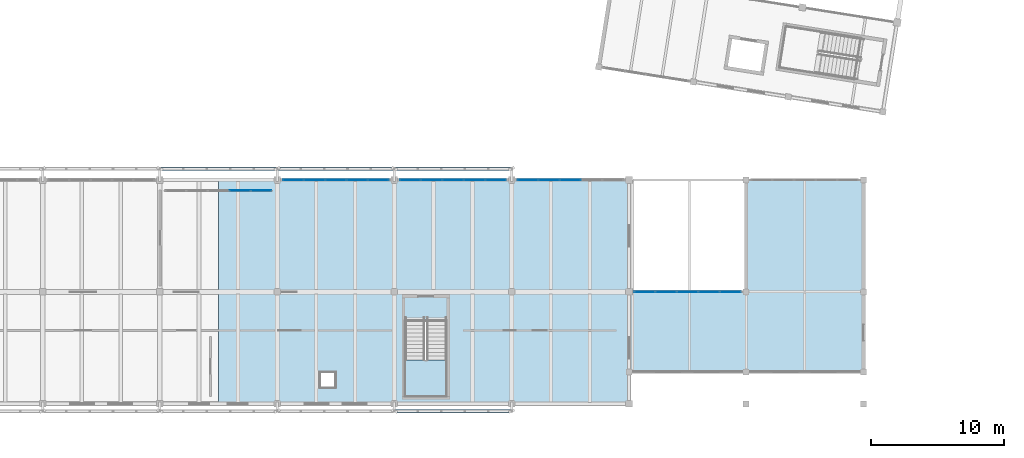
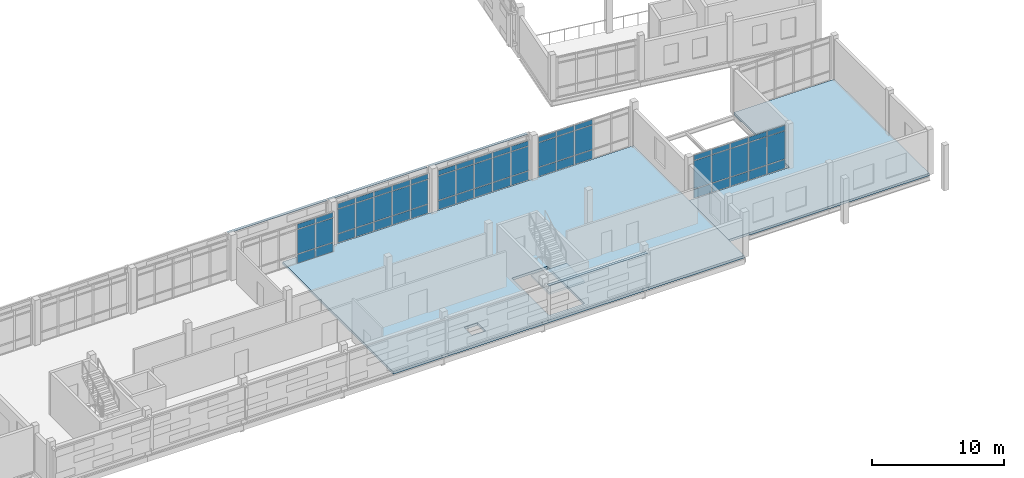
# One storey, part 96 of 137: 64 plates, 3 slabs, 6 elements without a shape of their own.
"""IFC4 building model written with IfcOpenShell, lengths in metres."""

from ifc_helpers import new_model, si_unit, direction, frame, origin, origin_2d, place, context, subcontext, project, spatial, polyline, rectangle, outline, extrude, material, layer, layer_set, type_object, element, aggregate, save


model = new_model("IFC4")

# Units and contexts
model_context = context("Model", 3, precision=1e-05, world=origin(), true_north=direction((0.0, 1.0)))
body_context = subcontext(model_context, "Body", "Model", "MODEL_VIEW")
ifc_project = project(units=[si_unit("LENGTHUNIT", "METRE"), si_unit("AREAUNIT", "SQUARE_METRE"), si_unit("VOLUMEUNIT", "CUBIC_METRE"), si_unit("PLANEANGLEUNIT", "RADIAN"), si_unit("MASSUNIT", "GRAM", prefix="KILO")], contexts=[model_context])

# Site, building, storey
site_placement = place(None, origin())
site = spatial("IfcSite", under=ifc_project, at=site_placement, CompositionType="ELEMENT")
building_placement = place(site_placement, origin())
building = spatial("IfcBuilding", under=site, at=building_placement, Name="Cinderway Yard Community Centre", CompositionType="ELEMENT")
storey_placement = place(building_placement, frame((0.0, 0.0, 4.800048828125)))
storey = spatial("IfcBuildingStorey", under=building, at=storey_placement, Name="L01", CompositionType="ELEMENT", Elevation=4.800048828125)

# Curtain wall, plates
ifc_material_1 = material(Name="Aluminium 6063-T6", Category="aluminium")
curtain_wall_type_1 = type_object("IfcCurtainWallType", Name="ENV-CW-TYPE-27", PredefinedType="USERDEFINED", material=ifc_material_1)
curtain_wall_1_placement = place(storey_placement, origin())
curtain_wall_1 = element("IfcCurtainWall", 1, at=curtain_wall_1_placement, inside=storey, type_object=curtain_wall_type_1, Name="Dining Courtyard Curtain Wall ENV-CW-L01-ST-0096", ObjectType="GLAZED CURTAIN WALL", PredefinedType="USERDEFINED")
ifc_material_2 = material(Name="Laminated Low-E Glass", Category="glass")
ifc_layer_1 = layer(ifc_material_2, 0.028076171875, Name="Laminated Low-E Glass")
ifc_layer_set_1 = layer_set([ifc_layer_1], Name="Laminated Low-E Glass")
plate_type_1 = type_object("IfcPlateType", Name="ENV-CW-PAN-IGU28", PredefinedType="CURTAIN_PANEL", material=ifc_layer_set_1)
plate_1_placement = place(storey_placement, frame((90.008056640625, 22.0, 0.059814453125), z_axis=(0.0, 0.0, 1.0), x_axis=(1.0, 0.0, 0.0)))
plate_1 = element("IfcPlate", 2, at=plate_1_placement, type_object=plate_type_1, Name="CW-27 panel 4.1", PredefinedType="CURTAIN_PANEL", context=body_context, shape_type="SweptSolid", body=[
    extrude(rectangle(XDim=1.548095703125, YDim=0.028076171875, at=origin_2d()), origin(), (0.0, 0.0, 1.0), 0.81005859375),
])
plate_2_placement = place(storey_placement, frame((90.008056640625, 22.0, 0.93017578125), z_axis=(0.0, 0.0, 1.0), x_axis=(1.0, 0.0, 0.0)))
plate_2 = element("IfcPlate", 3, at=plate_2_placement, type_object=plate_type_1, Name="CW-27 panel 4.2", PredefinedType="CURTAIN_PANEL", context=body_context, shape_type="SweptSolid", body=[
    extrude(rectangle(XDim=1.548095703125, YDim=0.028076171875, at=origin_2d()), origin(), (0.0, 0.0, 1.0), 2.239990234375),
])
plate_3_placement = place(storey_placement, frame((90.008056640625, 22.0, 3.22998046875), z_axis=(0.0, 0.0, 1.0), x_axis=(1.0, 0.0, 0.0)))
plate_3 = element("IfcPlate", 4, at=plate_3_placement, type_object=plate_type_1, Name="CW-27 panel 4.3", PredefinedType="CURTAIN_PANEL", context=body_context, shape_type="SweptSolid", body=[
    extrude(rectangle(XDim=1.548095703125, YDim=0.028076171875, at=origin_2d()), origin(), (0.0, 0.0, 1.0), 0.4599609375),
])
plate_4_placement = place(storey_placement, frame((91.60107421875, 22.0, 0.059814453125), z_axis=(0.0, 0.0, 1.0), x_axis=(1.0, 0.0, 0.0)))
plate_4 = element("IfcPlate", 5, at=plate_4_placement, type_object=plate_type_1, Name="CW-27 panel 5.1", PredefinedType="CURTAIN_PANEL", context=body_context, shape_type="SweptSolid", body=[
    extrude(rectangle(XDim=1.51806640625, YDim=0.028076171875, at=origin_2d()), origin(), (0.0, 0.0, 1.0), 0.81005859375),
])
plate_5_placement = place(storey_placement, frame((91.60107421875, 22.0, 0.93017578125), z_axis=(0.0, 0.0, 1.0), x_axis=(1.0, 0.0, 0.0)))
plate_5 = element("IfcPlate", 6, at=plate_5_placement, type_object=plate_type_1, Name="CW-27 panel 5.2", PredefinedType="CURTAIN_PANEL", context=body_context, shape_type="SweptSolid", body=[
    extrude(rectangle(XDim=1.51806640625, YDim=0.028076171875, at=origin_2d()), origin(), (0.0, 0.0, 1.0), 2.239990234375),
])
plate_6_placement = place(storey_placement, frame((91.60107421875, 22.0, 3.22998046875), z_axis=(0.0, 0.0, 1.0), x_axis=(1.0, 0.0, 0.0)))
plate_6 = element("IfcPlate", 7, at=plate_6_placement, type_object=plate_type_1, Name="CW-27 panel 5.3", PredefinedType="CURTAIN_PANEL", context=body_context, shape_type="SweptSolid", body=[
    extrude(rectangle(XDim=1.51806640625, YDim=0.028076171875, at=origin_2d()), origin(), (0.0, 0.0, 1.0), 0.4599609375),
])
aggregate(curtain_wall_1, [plate_1, plate_2, plate_3, plate_4, plate_5, plate_6])

curtain_wall_2_placement = place(storey_placement, origin())
curtain_wall_2 = element("IfcCurtainWall", 8, at=curtain_wall_2_placement, inside=storey, type_object=curtain_wall_type_1, Name="Dining Courtyard Curtain Wall ENV-CW-L01-ST-0097", ObjectType="GLAZED CURTAIN WALL", PredefinedType="USERDEFINED")
plate_7_placement = place(storey_placement, frame((93.9990234375, 22.800048828125, 0.059814453125), z_axis=(0.0, 0.0, 1.0), x_axis=(1.0, 0.0, 0.0)))
plate_7 = element("IfcPlate", 9, at=plate_7_placement, type_object=plate_type_1, Name="CW-27 panel 1.1", PredefinedType="CURTAIN_PANEL", context=body_context, shape_type="SweptSolid", body=[
    extrude(rectangle(XDim=1.51806640625, YDim=0.028076171875, at=origin_2d()), origin(), (0.0, 0.0, 1.0), 0.81005859375),
])
plate_8_placement = place(storey_placement, frame((93.9990234375, 22.800048828125, 0.93017578125), z_axis=(0.0, 0.0, 1.0), x_axis=(1.0, 0.0, 0.0)))
plate_8 = element("IfcPlate", 10, at=plate_8_placement, type_object=plate_type_1, Name="CW-27 panel 1.2", PredefinedType="CURTAIN_PANEL", context=body_context, shape_type="SweptSolid", body=[
    extrude(rectangle(XDim=1.51806640625, YDim=0.028076171875, at=origin_2d()), origin(), (0.0, 0.0, 1.0), 2.239990234375),
])
plate_9_placement = place(storey_placement, frame((93.9990234375, 22.800048828125, 3.22998046875), z_axis=(0.0, 0.0, 1.0), x_axis=(1.0, 0.0, 0.0)))
plate_9 = element("IfcPlate", 11, at=plate_9_placement, type_object=plate_type_1, Name="CW-27 panel 1.3", PredefinedType="CURTAIN_PANEL", context=body_context, shape_type="SweptSolid", body=[
    extrude(rectangle(XDim=1.51806640625, YDim=0.028076171875, at=origin_2d()), origin(), (0.0, 0.0, 1.0), 0.4599609375),
])
plate_10_placement = place(storey_placement, frame((95.592041015625, 22.800048828125, 0.059814453125), z_axis=(0.0, 0.0, 1.0), x_axis=(1.0, 0.0, 0.0)))
plate_10 = element("IfcPlate", 12, at=plate_10_placement, type_object=plate_type_1, Name="CW-27 panel 2.1", PredefinedType="CURTAIN_PANEL", context=body_context, shape_type="SweptSolid", body=[
    extrude(rectangle(XDim=1.548095703125, YDim=0.028076171875, at=origin_2d()), origin(), (0.0, 0.0, 1.0), 0.81005859375),
])
plate_11_placement = place(storey_placement, frame((95.592041015625, 22.800048828125, 0.93017578125), z_axis=(0.0, 0.0, 1.0), x_axis=(1.0, 0.0, 0.0)))
plate_11 = element("IfcPlate", 13, at=plate_11_placement, type_object=plate_type_1, Name="CW-27 panel 2.2", PredefinedType="CURTAIN_PANEL", context=body_context, shape_type="SweptSolid", body=[
    extrude(rectangle(XDim=1.548095703125, YDim=0.028076171875, at=origin_2d()), origin(), (0.0, 0.0, 1.0), 2.239990234375),
])
plate_12_placement = place(storey_placement, frame((95.592041015625, 22.800048828125, 3.22998046875), z_axis=(0.0, 0.0, 1.0), x_axis=(1.0, 0.0, 0.0)))
plate_12 = element("IfcPlate", 14, at=plate_12_placement, type_object=plate_type_1, Name="CW-27 panel 2.3", PredefinedType="CURTAIN_PANEL", context=body_context, shape_type="SweptSolid", body=[
    extrude(rectangle(XDim=1.548095703125, YDim=0.028076171875, at=origin_2d()), origin(), (0.0, 0.0, 1.0), 0.4599609375),
])
plate_13_placement = place(storey_placement, frame((97.199951171875, 22.800048828125, 0.059814453125), z_axis=(0.0, 0.0, 1.0), x_axis=(1.0, 0.0, 0.0)))
plate_13 = element("IfcPlate", 15, at=plate_13_placement, type_object=plate_type_1, Name="CW-27 panel 3.1", PredefinedType="CURTAIN_PANEL", context=body_context, shape_type="SweptSolid", body=[
    extrude(rectangle(XDim=1.548095703125, YDim=0.028076171875, at=origin_2d()), origin(), (0.0, 0.0, 1.0), 0.81005859375),
])
plate_14_placement = place(storey_placement, frame((97.199951171875, 22.800048828125, 0.93017578125), z_axis=(0.0, 0.0, 1.0), x_axis=(1.0, 0.0, 0.0)))
plate_14 = element("IfcPlate", 16, at=plate_14_placement, type_object=plate_type_1, Name="CW-27 panel 3.2", PredefinedType="CURTAIN_PANEL", context=body_context, shape_type="SweptSolid", body=[
    extrude(rectangle(XDim=1.548095703125, YDim=0.028076171875, at=origin_2d()), origin(), (0.0, 0.0, 1.0), 2.239990234375),
])
plate_15_placement = place(storey_placement, frame((97.199951171875, 22.800048828125, 3.22998046875), z_axis=(0.0, 0.0, 1.0), x_axis=(1.0, 0.0, 0.0)))
plate_15 = element("IfcPlate", 17, at=plate_15_placement, type_object=plate_type_1, Name="CW-27 panel 3.3", PredefinedType="CURTAIN_PANEL", context=body_context, shape_type="SweptSolid", body=[
    extrude(rectangle(XDim=1.548095703125, YDim=0.028076171875, at=origin_2d()), origin(), (0.0, 0.0, 1.0), 0.4599609375),
])
plate_16_placement = place(storey_placement, frame((98.80810546875, 22.800048828125, 0.059814453125), z_axis=(0.0, 0.0, 1.0), x_axis=(1.0, 0.0, 0.0)))
plate_16 = element("IfcPlate", 18, at=plate_16_placement, type_object=plate_type_1, Name="CW-27 panel 4.1", PredefinedType="CURTAIN_PANEL", context=body_context, shape_type="SweptSolid", body=[
    extrude(rectangle(XDim=1.548095703125, YDim=0.028076171875, at=origin_2d()), origin(), (0.0, 0.0, 1.0), 0.81005859375),
])
plate_17_placement = place(storey_placement, frame((98.80810546875, 22.800048828125, 0.93017578125), z_axis=(0.0, 0.0, 1.0), x_axis=(1.0, 0.0, 0.0)))
plate_17 = element("IfcPlate", 19, at=plate_17_placement, type_object=plate_type_1, Name="CW-27 panel 4.2", PredefinedType="CURTAIN_PANEL", context=body_context, shape_type="SweptSolid", body=[
    extrude(rectangle(XDim=1.548095703125, YDim=0.028076171875, at=origin_2d()), origin(), (0.0, 0.0, 1.0), 2.239990234375),
])
plate_18_placement = place(storey_placement, frame((98.80810546875, 22.800048828125, 3.22998046875), z_axis=(0.0, 0.0, 1.0), x_axis=(1.0, 0.0, 0.0)))
plate_18 = element("IfcPlate", 20, at=plate_18_placement, type_object=plate_type_1, Name="CW-27 panel 4.3", PredefinedType="CURTAIN_PANEL", context=body_context, shape_type="SweptSolid", body=[
    extrude(rectangle(XDim=1.548095703125, YDim=0.028076171875, at=origin_2d()), origin(), (0.0, 0.0, 1.0), 0.4599609375),
])
plate_19_placement = place(storey_placement, frame((100.40087890625, 22.800048828125, 0.059814453125), z_axis=(0.0, 0.0, 1.0), x_axis=(1.0, 0.0, 0.0)))
plate_19 = element("IfcPlate", 21, at=plate_19_placement, type_object=plate_type_1, Name="CW-27 panel 5.1", PredefinedType="CURTAIN_PANEL", context=body_context, shape_type="SweptSolid", body=[
    extrude(rectangle(XDim=1.51806640625, YDim=0.028076171875, at=origin_2d()), origin(), (0.0, 0.0, 1.0), 0.81005859375),
])
plate_20_placement = place(storey_placement, frame((100.40087890625, 22.800048828125, 0.93017578125), z_axis=(0.0, 0.0, 1.0), x_axis=(1.0, 0.0, 0.0)))
plate_20 = element("IfcPlate", 22, at=plate_20_placement, type_object=plate_type_1, Name="CW-27 panel 5.2", PredefinedType="CURTAIN_PANEL", context=body_context, shape_type="SweptSolid", body=[
    extrude(rectangle(XDim=1.51806640625, YDim=0.028076171875, at=origin_2d()), origin(), (0.0, 0.0, 1.0), 2.239990234375),
])
plate_21_placement = place(storey_placement, frame((100.40087890625, 22.800048828125, 3.22998046875), z_axis=(0.0, 0.0, 1.0), x_axis=(1.0, 0.0, 0.0)))
plate_21 = element("IfcPlate", 23, at=plate_21_placement, type_object=plate_type_1, Name="CW-27 panel 5.3", PredefinedType="CURTAIN_PANEL", context=body_context, shape_type="SweptSolid", body=[
    extrude(rectangle(XDim=1.51806640625, YDim=0.028076171875, at=origin_2d()), origin(), (0.0, 0.0, 1.0), 0.4599609375),
])
aggregate(curtain_wall_2, [plate_7, plate_8, plate_9, plate_10, plate_11, plate_12, plate_13, plate_14, plate_15, plate_16, plate_17, plate_18, plate_19, plate_20, plate_21])

curtain_wall_3_placement = place(storey_placement, origin())
curtain_wall_3 = element("IfcCurtainWall", 24, at=curtain_wall_3_placement, inside=storey, type_object=curtain_wall_type_1, Name="Dining Courtyard Curtain Wall ENV-CW-L01-ST-0098", ObjectType="GLAZED CURTAIN WALL", PredefinedType="USERDEFINED")
plate_22_placement = place(storey_placement, frame((102.799072265625, 22.800048828125, 0.059814453125), z_axis=(0.0, 0.0, 1.0), x_axis=(1.0, 0.0, 0.0)))
plate_22 = element("IfcPlate", 25, at=plate_22_placement, type_object=plate_type_1, Name="CW-27 panel 1.1", PredefinedType="CURTAIN_PANEL", context=body_context, shape_type="SweptSolid", body=[
    extrude(rectangle(XDim=1.51806640625, YDim=0.028076171875, at=origin_2d()), origin(), (0.0, 0.0, 1.0), 0.81005859375),
])
plate_23_placement = place(storey_placement, frame((102.799072265625, 22.800048828125, 0.93017578125), z_axis=(0.0, 0.0, 1.0), x_axis=(1.0, 0.0, 0.0)))
plate_23 = element("IfcPlate", 26, at=plate_23_placement, type_object=plate_type_1, Name="CW-27 panel 1.2", PredefinedType="CURTAIN_PANEL", context=body_context, shape_type="SweptSolid", body=[
    extrude(rectangle(XDim=1.51806640625, YDim=0.028076171875, at=origin_2d()), origin(), (0.0, 0.0, 1.0), 2.239990234375),
])
plate_24_placement = place(storey_placement, frame((102.799072265625, 22.800048828125, 3.22998046875), z_axis=(0.0, 0.0, 1.0), x_axis=(1.0, 0.0, 0.0)))
plate_24 = element("IfcPlate", 27, at=plate_24_placement, type_object=plate_type_1, Name="CW-27 panel 1.3", PredefinedType="CURTAIN_PANEL", context=body_context, shape_type="SweptSolid", body=[
    extrude(rectangle(XDim=1.51806640625, YDim=0.028076171875, at=origin_2d()), origin(), (0.0, 0.0, 1.0), 0.4599609375),
])
plate_25_placement = place(storey_placement, frame((104.39208984375, 22.800048828125, 0.059814453125), z_axis=(0.0, 0.0, 1.0), x_axis=(1.0, 0.0, 0.0)))
plate_25 = element("IfcPlate", 28, at=plate_25_placement, type_object=plate_type_1, Name="CW-27 panel 2.1", PredefinedType="CURTAIN_PANEL", context=body_context, shape_type="SweptSolid", body=[
    extrude(rectangle(XDim=1.548095703125, YDim=0.028076171875, at=origin_2d()), origin(), (0.0, 0.0, 1.0), 0.81005859375),
])
plate_26_placement = place(storey_placement, frame((104.39208984375, 22.800048828125, 0.93017578125), z_axis=(0.0, 0.0, 1.0), x_axis=(1.0, 0.0, 0.0)))
plate_26 = element("IfcPlate", 29, at=plate_26_placement, type_object=plate_type_1, Name="CW-27 panel 2.2", PredefinedType="CURTAIN_PANEL", context=body_context, shape_type="SweptSolid", body=[
    extrude(rectangle(XDim=1.548095703125, YDim=0.028076171875, at=origin_2d()), origin(), (0.0, 0.0, 1.0), 2.239990234375),
])
plate_27_placement = place(storey_placement, frame((104.39208984375, 22.800048828125, 3.22998046875), z_axis=(0.0, 0.0, 1.0), x_axis=(1.0, 0.0, 0.0)))
plate_27 = element("IfcPlate", 30, at=plate_27_placement, type_object=plate_type_1, Name="CW-27 panel 2.3", PredefinedType="CURTAIN_PANEL", context=body_context, shape_type="SweptSolid", body=[
    extrude(rectangle(XDim=1.548095703125, YDim=0.028076171875, at=origin_2d()), origin(), (0.0, 0.0, 1.0), 0.4599609375),
])
plate_28_placement = place(storey_placement, frame((106.0, 22.800048828125, 0.059814453125), z_axis=(0.0, 0.0, 1.0), x_axis=(1.0, 0.0, 0.0)))
plate_28 = element("IfcPlate", 31, at=plate_28_placement, type_object=plate_type_1, Name="CW-27 panel 3.1", PredefinedType="CURTAIN_PANEL", context=body_context, shape_type="SweptSolid", body=[
    extrude(rectangle(XDim=1.548095703125, YDim=0.028076171875, at=origin_2d()), origin(), (0.0, 0.0, 1.0), 0.81005859375),
])
plate_29_placement = place(storey_placement, frame((106.0, 22.800048828125, 0.93017578125), z_axis=(0.0, 0.0, 1.0), x_axis=(1.0, 0.0, 0.0)))
plate_29 = element("IfcPlate", 32, at=plate_29_placement, type_object=plate_type_1, Name="CW-27 panel 3.2", PredefinedType="CURTAIN_PANEL", context=body_context, shape_type="SweptSolid", body=[
    extrude(rectangle(XDim=1.548095703125, YDim=0.028076171875, at=origin_2d()), origin(), (0.0, 0.0, 1.0), 2.239990234375),
])
plate_30_placement = place(storey_placement, frame((106.0, 22.800048828125, 3.22998046875), z_axis=(0.0, 0.0, 1.0), x_axis=(1.0, 0.0, 0.0)))
plate_30 = element("IfcPlate", 33, at=plate_30_placement, type_object=plate_type_1, Name="CW-27 panel 3.3", PredefinedType="CURTAIN_PANEL", context=body_context, shape_type="SweptSolid", body=[
    extrude(rectangle(XDim=1.548095703125, YDim=0.028076171875, at=origin_2d()), origin(), (0.0, 0.0, 1.0), 0.4599609375),
])
plate_31_placement = place(storey_placement, frame((107.60791015625, 22.800048828125, 0.059814453125), z_axis=(0.0, 0.0, 1.0), x_axis=(1.0, 0.0, 0.0)))
plate_31 = element("IfcPlate", 34, at=plate_31_placement, type_object=plate_type_1, Name="CW-27 panel 4.1", PredefinedType="CURTAIN_PANEL", context=body_context, shape_type="SweptSolid", body=[
    extrude(rectangle(XDim=1.548095703125, YDim=0.028076171875, at=origin_2d()), origin(), (0.0, 0.0, 1.0), 0.81005859375),
])
plate_32_placement = place(storey_placement, frame((107.60791015625, 22.800048828125, 0.93017578125), z_axis=(0.0, 0.0, 1.0), x_axis=(1.0, 0.0, 0.0)))
plate_32 = element("IfcPlate", 35, at=plate_32_placement, type_object=plate_type_1, Name="CW-27 panel 4.2", PredefinedType="CURTAIN_PANEL", context=body_context, shape_type="SweptSolid", body=[
    extrude(rectangle(XDim=1.548095703125, YDim=0.028076171875, at=origin_2d()), origin(), (0.0, 0.0, 1.0), 2.239990234375),
])
plate_33_placement = place(storey_placement, frame((107.60791015625, 22.800048828125, 3.22998046875), z_axis=(0.0, 0.0, 1.0), x_axis=(1.0, 0.0, 0.0)))
plate_33 = element("IfcPlate", 36, at=plate_33_placement, type_object=plate_type_1, Name="CW-27 panel 4.3", PredefinedType="CURTAIN_PANEL", context=body_context, shape_type="SweptSolid", body=[
    extrude(rectangle(XDim=1.548095703125, YDim=0.028076171875, at=origin_2d()), origin(), (0.0, 0.0, 1.0), 0.4599609375),
])
plate_34_placement = place(storey_placement, frame((109.200927734375, 22.800048828125, 0.059814453125), z_axis=(0.0, 0.0, 1.0), x_axis=(1.0, 0.0, 0.0)))
plate_34 = element("IfcPlate", 37, at=plate_34_placement, type_object=plate_type_1, Name="CW-27 panel 5.1", PredefinedType="CURTAIN_PANEL", context=body_context, shape_type="SweptSolid", body=[
    extrude(rectangle(XDim=1.51806640625, YDim=0.028076171875, at=origin_2d()), origin(), (0.0, 0.0, 1.0), 0.81005859375),
])
plate_35_placement = place(storey_placement, frame((109.200927734375, 22.800048828125, 0.93017578125), z_axis=(0.0, 0.0, 1.0), x_axis=(1.0, 0.0, 0.0)))
plate_35 = element("IfcPlate", 38, at=plate_35_placement, type_object=plate_type_1, Name="CW-27 panel 5.2", PredefinedType="CURTAIN_PANEL", context=body_context, shape_type="SweptSolid", body=[
    extrude(rectangle(XDim=1.51806640625, YDim=0.028076171875, at=origin_2d()), origin(), (0.0, 0.0, 1.0), 2.239990234375),
])
plate_36_placement = place(storey_placement, frame((109.200927734375, 22.800048828125, 3.22998046875), z_axis=(0.0, 0.0, 1.0), x_axis=(1.0, 0.0, 0.0)))
plate_36 = element("IfcPlate", 39, at=plate_36_placement, type_object=plate_type_1, Name="CW-27 panel 5.3", PredefinedType="CURTAIN_PANEL", context=body_context, shape_type="SweptSolid", body=[
    extrude(rectangle(XDim=1.51806640625, YDim=0.028076171875, at=origin_2d()), origin(), (0.0, 0.0, 1.0), 0.4599609375),
])
aggregate(curtain_wall_3, [plate_22, plate_23, plate_24, plate_25, plate_26, plate_27, plate_28, plate_29, plate_30, plate_31, plate_32, plate_33, plate_34, plate_35, plate_36])

curtain_wall_4_placement = place(storey_placement, origin())
curtain_wall_4 = element("IfcCurtainWall", 40, at=curtain_wall_4_placement, inside=storey, type_object=curtain_wall_type_1, Name="Dining Courtyard Curtain Wall ENV-CW-L01-ST-0099", ObjectType="GLAZED CURTAIN WALL", PredefinedType="USERDEFINED")
plate_37_placement = place(storey_placement, frame((111.59912109375, 22.800048828125, 0.059814453125), z_axis=(0.0, 0.0, 1.0), x_axis=(1.0, 0.0, 0.0)))
plate_37 = element("IfcPlate", 41, at=plate_37_placement, type_object=plate_type_1, Name="CW-27 panel 1.1", PredefinedType="CURTAIN_PANEL", context=body_context, shape_type="SweptSolid", body=[
    extrude(rectangle(XDim=1.51806640625, YDim=0.028076171875, at=origin_2d()), origin(), (0.0, 0.0, 1.0), 0.81005859375),
])
plate_38_placement = place(storey_placement, frame((111.59912109375, 22.800048828125, 0.93017578125), z_axis=(0.0, 0.0, 1.0), x_axis=(1.0, 0.0, 0.0)))
plate_38 = element("IfcPlate", 42, at=plate_38_placement, type_object=plate_type_1, Name="CW-27 panel 1.2", PredefinedType="CURTAIN_PANEL", context=body_context, shape_type="SweptSolid", body=[
    extrude(rectangle(XDim=1.51806640625, YDim=0.028076171875, at=origin_2d()), origin(), (0.0, 0.0, 1.0), 2.239990234375),
])
plate_39_placement = place(storey_placement, frame((111.59912109375, 22.800048828125, 3.22998046875), z_axis=(0.0, 0.0, 1.0), x_axis=(1.0, 0.0, 0.0)))
plate_39 = element("IfcPlate", 43, at=plate_39_placement, type_object=plate_type_1, Name="CW-27 panel 1.3", PredefinedType="CURTAIN_PANEL", context=body_context, shape_type="SweptSolid", body=[
    extrude(rectangle(XDim=1.51806640625, YDim=0.028076171875, at=origin_2d()), origin(), (0.0, 0.0, 1.0), 0.4599609375),
])
plate_40_placement = place(storey_placement, frame((113.19189453125, 22.800048828125, 0.059814453125), z_axis=(0.0, 0.0, 1.0), x_axis=(1.0, 0.0, 0.0)))
plate_40 = element("IfcPlate", 44, at=plate_40_placement, type_object=plate_type_1, Name="CW-27 panel 2.1", PredefinedType="CURTAIN_PANEL", context=body_context, shape_type="SweptSolid", body=[
    extrude(rectangle(XDim=1.548095703125, YDim=0.028076171875, at=origin_2d()), origin(), (0.0, 0.0, 1.0), 0.81005859375),
])
plate_41_placement = place(storey_placement, frame((113.19189453125, 22.800048828125, 0.93017578125), z_axis=(0.0, 0.0, 1.0), x_axis=(1.0, 0.0, 0.0)))
plate_41 = element("IfcPlate", 45, at=plate_41_placement, type_object=plate_type_1, Name="CW-27 panel 2.2", PredefinedType="CURTAIN_PANEL", context=body_context, shape_type="SweptSolid", body=[
    extrude(rectangle(XDim=1.548095703125, YDim=0.028076171875, at=origin_2d()), origin(), (0.0, 0.0, 1.0), 2.239990234375),
])
plate_42_placement = place(storey_placement, frame((113.19189453125, 22.800048828125, 3.22998046875), z_axis=(0.0, 0.0, 1.0), x_axis=(1.0, 0.0, 0.0)))
plate_42 = element("IfcPlate", 46, at=plate_42_placement, type_object=plate_type_1, Name="CW-27 panel 2.3", PredefinedType="CURTAIN_PANEL", context=body_context, shape_type="SweptSolid", body=[
    extrude(rectangle(XDim=1.548095703125, YDim=0.028076171875, at=origin_2d()), origin(), (0.0, 0.0, 1.0), 0.4599609375),
])
plate_43_placement = place(storey_placement, frame((114.800048828125, 22.800048828125, 0.059814453125), z_axis=(0.0, 0.0, 1.0), x_axis=(1.0, 0.0, 0.0)))
plate_43 = element("IfcPlate", 47, at=plate_43_placement, type_object=plate_type_1, Name="CW-27 panel 3.1", PredefinedType="CURTAIN_PANEL", context=body_context, shape_type="SweptSolid", body=[
    extrude(rectangle(XDim=1.548095703125, YDim=0.028076171875, at=origin_2d()), origin(), (0.0, 0.0, 1.0), 0.81005859375),
])
plate_44_placement = place(storey_placement, frame((114.800048828125, 22.800048828125, 0.93017578125), z_axis=(0.0, 0.0, 1.0), x_axis=(1.0, 0.0, 0.0)))
plate_44 = element("IfcPlate", 48, at=plate_44_placement, type_object=plate_type_1, Name="CW-27 panel 3.2", PredefinedType="CURTAIN_PANEL", context=body_context, shape_type="SweptSolid", body=[
    extrude(rectangle(XDim=1.548095703125, YDim=0.028076171875, at=origin_2d()), origin(), (0.0, 0.0, 1.0), 2.239990234375),
])
plate_45_placement = place(storey_placement, frame((114.800048828125, 22.800048828125, 3.22998046875), z_axis=(0.0, 0.0, 1.0), x_axis=(1.0, 0.0, 0.0)))
plate_45 = element("IfcPlate", 49, at=plate_45_placement, type_object=plate_type_1, Name="CW-27 panel 3.3", PredefinedType="CURTAIN_PANEL", context=body_context, shape_type="SweptSolid", body=[
    extrude(rectangle(XDim=1.548095703125, YDim=0.028076171875, at=origin_2d()), origin(), (0.0, 0.0, 1.0), 0.4599609375),
])
aggregate(curtain_wall_4, [plate_37, plate_38, plate_39, plate_40, plate_41, plate_42, plate_43, plate_44, plate_45])

curtain_wall_type_2 = type_object("IfcCurtainWallType", Name="ENV-CW-TYPE-37", PredefinedType="USERDEFINED", material=ifc_material_1)
curtain_wall_5_placement = place(storey_placement, origin())
curtain_wall_5 = element("IfcCurtainWall", 50, at=curtain_wall_5_placement, inside=storey, type_object=curtain_wall_type_2, Name="East Arcade Courtyard Curtain Wall ENV-CW-L01-ST-0201", ObjectType="GLAZED CURTAIN WALL", PredefinedType="USERDEFINED")
plate_46_placement = place(storey_placement, frame((120.375, 14.39990234375, 0.059814453125), z_axis=(0.0, 0.0, 1.0), x_axis=(1.0, 0.0, 0.0)))
plate_46 = element("IfcPlate", 51, at=plate_46_placement, type_object=plate_type_1, Name="CW-37 panel 1.1", PredefinedType="CURTAIN_PANEL", context=body_context, shape_type="SweptSolid", body=[
    extrude(rectangle(XDim=1.530029296875, YDim=0.028076171875, at=origin_2d()), origin(), (0.0, 0.0, 1.0), 0.81005859375),
])
plate_47_placement = place(storey_placement, frame((120.375, 14.39990234375, 0.9296875), z_axis=(0.0, 0.0, 1.0), x_axis=(1.0, 0.0, 0.0)))
plate_47 = element("IfcPlate", 52, at=plate_47_placement, type_object=plate_type_1, Name="CW-37 panel 1.2", PredefinedType="CURTAIN_PANEL", context=body_context, shape_type="SweptSolid", body=[
    extrude(rectangle(XDim=1.530029296875, YDim=0.028076171875, at=origin_2d()), origin(), (0.0, 0.0, 1.0), 2.590087890625),
])
plate_48_placement = place(storey_placement, frame((120.375, 14.39990234375, 3.580078125), z_axis=(0.0, 0.0, 1.0), x_axis=(1.0, 0.0, 0.0)))
plate_48 = element("IfcPlate", 53, at=plate_48_placement, type_object=plate_type_1, Name="CW-37 panel 1.3", PredefinedType="CURTAIN_PANEL", context=body_context, shape_type="SweptSolid", body=[
    extrude(rectangle(XDim=1.530029296875, YDim=0.028076171875, at=origin_2d()), origin(), (0.0, 0.0, 1.0), 0.4599609375),
])
plate_49_placement = place(storey_placement, frame((121.97998046875, 14.39990234375, 0.059814453125), z_axis=(0.0, 0.0, 1.0), x_axis=(1.0, 0.0, 0.0)))
plate_49 = element("IfcPlate", 54, at=plate_49_placement, type_object=plate_type_1, Name="CW-37 panel 2.1", PredefinedType="CURTAIN_PANEL", context=body_context, shape_type="SweptSolid", body=[
    extrude(rectangle(XDim=1.56005859375, YDim=0.028076171875, at=origin_2d()), origin(), (0.0, 0.0, 1.0), 0.81005859375),
])
plate_50_placement = place(storey_placement, frame((121.97998046875, 14.39990234375, 0.9296875), z_axis=(0.0, 0.0, 1.0), x_axis=(1.0, 0.0, 0.0)))
plate_50 = element("IfcPlate", 55, at=plate_50_placement, type_object=plate_type_1, Name="CW-37 panel 2.2", PredefinedType="CURTAIN_PANEL", context=body_context, shape_type="SweptSolid", body=[
    extrude(rectangle(XDim=1.56005859375, YDim=0.028076171875, at=origin_2d()), origin(), (0.0, 0.0, 1.0), 2.590087890625),
])
plate_51_placement = place(storey_placement, frame((121.97998046875, 14.39990234375, 3.580078125), z_axis=(0.0, 0.0, 1.0), x_axis=(1.0, 0.0, 0.0)))
plate_51 = element("IfcPlate", 56, at=plate_51_placement, type_object=plate_type_1, Name="CW-37 panel 2.3", PredefinedType="CURTAIN_PANEL", context=body_context, shape_type="SweptSolid", body=[
    extrude(rectangle(XDim=1.56005859375, YDim=0.028076171875, at=origin_2d()), origin(), (0.0, 0.0, 1.0), 0.4599609375),
])
plate_52_placement = place(storey_placement, frame((123.60009765625, 14.39990234375, 0.059814453125), z_axis=(0.0, 0.0, 1.0), x_axis=(1.0, 0.0, 0.0)))
plate_52 = element("IfcPlate", 57, at=plate_52_placement, type_object=plate_type_1, Name="CW-37 panel 3.1", PredefinedType="CURTAIN_PANEL", context=body_context, shape_type="SweptSolid", body=[
    extrude(rectangle(XDim=1.56005859375, YDim=0.028076171875, at=origin_2d()), origin(), (0.0, 0.0, 1.0), 0.81005859375),
])
plate_53_placement = place(storey_placement, frame((123.60009765625, 14.39990234375, 0.9296875), z_axis=(0.0, 0.0, 1.0), x_axis=(1.0, 0.0, 0.0)))
plate_53 = element("IfcPlate", 58, at=plate_53_placement, type_object=plate_type_1, Name="CW-37 panel 3.2", PredefinedType="CURTAIN_PANEL", context=body_context, shape_type="SweptSolid", body=[
    extrude(rectangle(XDim=1.56005859375, YDim=0.028076171875, at=origin_2d()), origin(), (0.0, 0.0, 1.0), 2.590087890625),
])
plate_54_placement = place(storey_placement, frame((123.60009765625, 14.39990234375, 3.580078125), z_axis=(0.0, 0.0, 1.0), x_axis=(1.0, 0.0, 0.0)))
plate_54 = element("IfcPlate", 59, at=plate_54_placement, type_object=plate_type_1, Name="CW-37 panel 3.3", PredefinedType="CURTAIN_PANEL", context=body_context, shape_type="SweptSolid", body=[
    extrude(rectangle(XDim=1.56005859375, YDim=0.028076171875, at=origin_2d()), origin(), (0.0, 0.0, 1.0), 0.4599609375),
])
plate_55_placement = place(storey_placement, frame((125.219970703125, 14.39990234375, 0.059814453125), z_axis=(0.0, 0.0, 1.0), x_axis=(1.0, 0.0, 0.0)))
plate_55 = element("IfcPlate", 60, at=plate_55_placement, type_object=plate_type_1, Name="CW-37 panel 4.1", PredefinedType="CURTAIN_PANEL", context=body_context, shape_type="SweptSolid", body=[
    extrude(rectangle(XDim=1.56005859375, YDim=0.028076171875, at=origin_2d()), origin(), (0.0, 0.0, 1.0), 0.81005859375),
])
plate_56_placement = place(storey_placement, frame((125.219970703125, 14.39990234375, 0.9296875), z_axis=(0.0, 0.0, 1.0), x_axis=(1.0, 0.0, 0.0)))
plate_56 = element("IfcPlate", 61, at=plate_56_placement, type_object=plate_type_1, Name="CW-37 panel 4.2", PredefinedType="CURTAIN_PANEL", context=body_context, shape_type="SweptSolid", body=[
    extrude(rectangle(XDim=1.56005859375, YDim=0.028076171875, at=origin_2d()), origin(), (0.0, 0.0, 1.0), 2.590087890625),
])
plate_57_placement = place(storey_placement, frame((125.219970703125, 14.39990234375, 3.580078125), z_axis=(0.0, 0.0, 1.0), x_axis=(1.0, 0.0, 0.0)))
plate_57 = element("IfcPlate", 62, at=plate_57_placement, type_object=plate_type_1, Name="CW-37 panel 4.3", PredefinedType="CURTAIN_PANEL", context=body_context, shape_type="SweptSolid", body=[
    extrude(rectangle(XDim=1.56005859375, YDim=0.028076171875, at=origin_2d()), origin(), (0.0, 0.0, 1.0), 0.4599609375),
])
plate_58_placement = place(storey_placement, frame((126.824951171875, 14.39990234375, 0.059814453125), z_axis=(0.0, 0.0, 1.0), x_axis=(1.0, 0.0, 0.0)))
plate_58 = element("IfcPlate", 63, at=plate_58_placement, type_object=plate_type_1, Name="CW-37 panel 5.1", PredefinedType="CURTAIN_PANEL", context=body_context, shape_type="SweptSolid", body=[
    extrude(rectangle(XDim=1.530029296875, YDim=0.028076171875, at=origin_2d()), origin(), (0.0, 0.0, 1.0), 0.81005859375),
])
plate_59_placement = place(storey_placement, frame((126.824951171875, 14.39990234375, 0.9296875), z_axis=(0.0, 0.0, 1.0), x_axis=(1.0, 0.0, 0.0)))
plate_59 = element("IfcPlate", 64, at=plate_59_placement, type_object=plate_type_1, Name="CW-37 panel 5.2", PredefinedType="CURTAIN_PANEL", context=body_context, shape_type="SweptSolid", body=[
    extrude(rectangle(XDim=1.530029296875, YDim=0.028076171875, at=origin_2d()), origin(), (0.0, 0.0, 1.0), 2.590087890625),
])
plate_60_placement = place(storey_placement, frame((126.824951171875, 14.39990234375, 3.580078125), z_axis=(0.0, 0.0, 1.0), x_axis=(1.0, 0.0, 0.0)))
plate_60 = element("IfcPlate", 65, at=plate_60_placement, type_object=plate_type_1, Name="CW-37 panel 5.3", PredefinedType="CURTAIN_PANEL", context=body_context, shape_type="SweptSolid", body=[
    extrude(rectangle(XDim=1.530029296875, YDim=0.028076171875, at=origin_2d()), origin(), (0.0, 0.0, 1.0), 0.4599609375),
])
aggregate(curtain_wall_5, [plate_46, plate_47, plate_48, plate_49, plate_50, plate_51, plate_52, plate_53, plate_54, plate_55, plate_56, plate_57, plate_58, plate_59, plate_60])

# Plates
ifc_layer_2 = layer(ifc_material_1, 0.01611328125, Name="Aluminium 6063-T6")
ifc_layer_set_2 = layer_set([ifc_layer_2], Name="Aluminium 6063-T6")
plate_type_2 = type_object("IfcPlateType", Name="ENV-PLT-FASCIA16", PredefinedType="USERDEFINED", material=ifc_layer_set_2)
for number, where, z_axis, x_axis, name in (
    (66, (106.0, 5.449951171875, 3.7119140625), (0.0, 0.0, 1.0), (-1.0, 0.0, 0.0), "Screen coping fascia 0073"),
    (67, (88.39990234375, 23.64990234375, 3.7119140625), (0.0, 0.0, 1.0), (1.0, 0.0, 0.0), "Screen coping fascia 0077"),
    (68, (97.199951171875, 23.64990234375, 3.7119140625), (0.0, 0.0, 1.0), (1.0, 0.0, 0.0), "Screen coping fascia 0078"),
    (69, (106.0, 23.64990234375, 3.7119140625), (0.0, 0.0, 1.0), (1.0, 0.0, 0.0), "Screen coping fascia 0079"),
):
    element("IfcPlate", number, at=place(storey_placement, frame(where, z_axis=z_axis, x_axis=x_axis)), inside=storey, type_object=plate_type_2, Name=name, ObjectType="FASCIA PLATE", PredefinedType="USERDEFINED", context=body_context, shape_type="SweptSolid", body=[
        extrude(rectangle(XDim=8.699951171875, YDim=0.260009765625, at=origin_2d()), origin(), (0.0, 0.0, 1.0), 0.01611328125),
    ])

# Stair, slab
ifc_material_3 = material(Name="Concrete C40/50", Category="concrete")
stair_type = type_object("IfcStairType", Name="INT-STR-420B", PredefinedType="HALF_TURN_STAIR", material=ifc_material_3)
stair_placement = place(storey_placement, origin())
stair = element("IfcStair", 70, at=stair_placement, inside=storey, type_object=stair_type, Name="L01 Core C5B Exit Stair ST-10", PredefinedType="HALF_TURN_STAIR")
ifc_layer_3 = layer(ifc_material_3, 0.199951171875, Name="Concrete C40/50")
ifc_layer_set_3 = layer_set([ifc_layer_3], Name="Concrete C40/50")
slab_type_1 = type_object("IfcSlabType", Name="INT-SLB-LND200", PredefinedType="LANDING", material=ifc_layer_set_3)
slab_1_placement = place(storey_placement, frame((0.0, 0.0, 1.89990234375)))
slab_1 = element("IfcSlab", 71, at=slab_1_placement, type_object=slab_type_1, Name="ST-10 landing 1", PredefinedType="LANDING", context=body_context, shape_type="SweptSolid", body=[
    extrude(outline(polyline([(102.39990234375, 9.280029296875), (102.39990234375, 6.550048828125), (105.52001953125, 6.550048828125), (105.52001953125, 9.280029296875), (102.39990234375, 9.280029296875)])), origin(), (0.0, 0.0, 1.0), 0.199951171875),
])
aggregate(stair, [slab_1])

# Slabs
ifc_material_4 = material(Name="Concrete C35/45", Category="concrete")
ifc_layer_4 = layer(ifc_material_4, 0.219970703125, Name="Concrete C35/45")
ifc_layer_set_4 = layer_set([ifc_layer_4], Name="Concrete C35/45")
slab_type_2 = type_object("IfcSlabType", Name="STR-SLAB-FLR-220", PredefinedType="FLOOR", material=ifc_layer_set_4)
slab_2_placement = place(storey_placement, frame((0.0, 0.0, -0.219970703125)))
element("IfcSlab", 72, at=slab_2_placement, inside=storey, type_object=slab_type_2, Name="East Storm Arcade Upper Promenade L01 STR-SLAB-L01-035", PredefinedType="FLOOR", context=body_context, shape_type="SweptSolid", body=[
    extrude(outline(polyline([(119.199951171875, 8.39990234375), (136.800048828125, 8.39990234375), (136.800048828125, 22.800048828125), (128.0, 22.800048828125), (128.0, 14.39990234375), (119.199951171875, 14.39990234375), (119.199951171875, 8.39990234375)])), origin(), (0.0, 0.0, 1.0), 0.219970703125),
])
ifc_layer_5 = layer(ifc_material_4, 0.239990234375, Name="Concrete C35/45")
ifc_layer_set_5 = layer_set([ifc_layer_5], Name="Concrete C35/45")
slab_type_3 = type_object("IfcSlabType", Name="STR-SLAB-FLR-240", PredefinedType="FLOOR", material=ifc_layer_set_5)
slab_3_placement = place(storey_placement, frame((0.0, 0.0, -0.239990234375)))
element("IfcSlab", 73, at=slab_3_placement, inside=storey, type_object=slab_type_3, Name="V3 East Culinary Slab L01 STR-SLAB-L01-016", PredefinedType="FLOOR", context=body_context, shape_type="SweptSolid", body=[
    extrude(outline(polyline([(88.39990234375, 6.0), (119.199951171875, 6.0), (119.199951171875, 22.800048828125), (88.39990234375, 22.800048828125), (88.39990234375, 6.0)]), holes=[polyline([(102.39990234375, 12.22998046875), (102.39990234375, 6.550048828125), (105.52001953125, 6.550048828125), (105.52001953125, 12.22998046875), (102.39990234375, 12.22998046875)]), polyline([(96.0, 7.199951171875), (97.199951171875, 7.199951171875), (97.199951171875, 8.39990234375), (96.0, 8.39990234375), (96.0, 7.199951171875)])]), origin(), (0.0, 0.0, 1.0), 0.239990234375),
])

save(model, "model.ifc")
